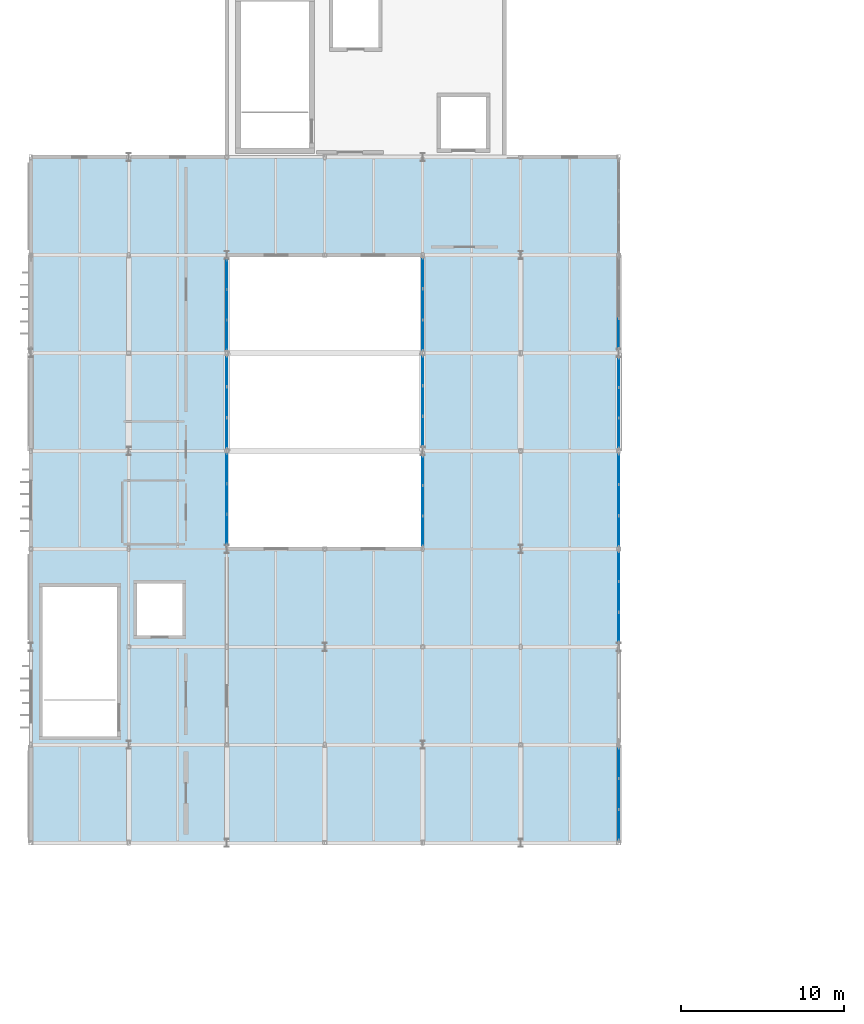
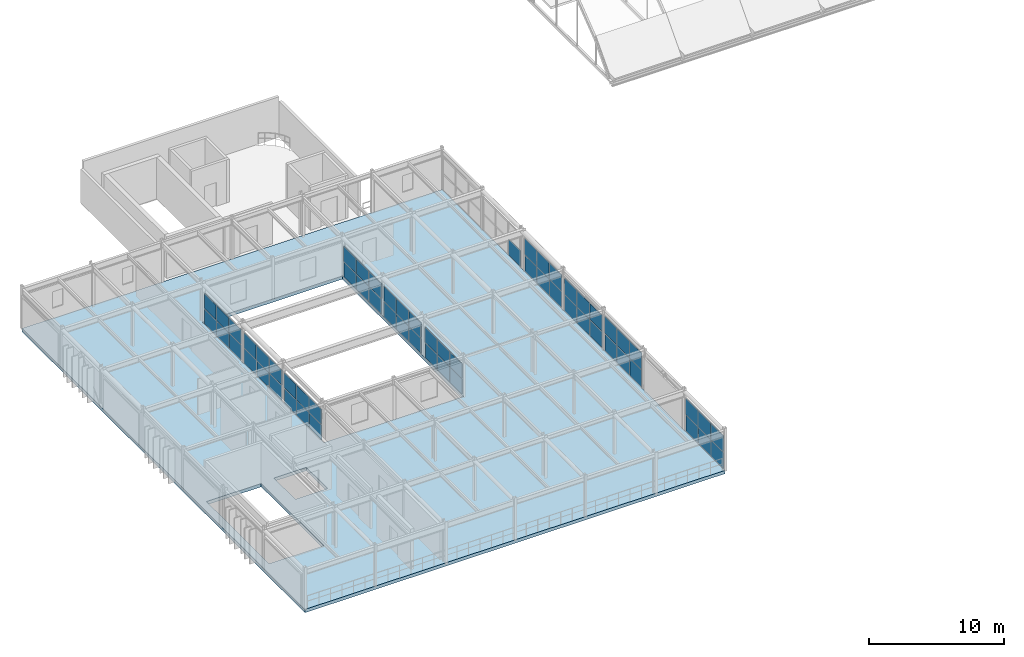
# One storey, part 43 of 63: 61 plates, 1 slab, 11 elements without a shape of their own.
"""IFC4 building model written with IfcOpenShell, lengths in metres."""

from ifc_helpers import new_model, si_unit, direction, frame, origin, origin_2d, place, context, subcontext, project, spatial, polyline, rectangle, outline, extrude, material, layer, layer_set, type_object, element, aggregate, save


model = new_model("IFC4")

# Units and contexts
model_context = context("Model", 3, precision=1e-05, world=origin(), true_north=direction((0.0, 1.0)))
body_context = subcontext(model_context, "Body", "Model", "MODEL_VIEW")
ifc_project = project(units=[si_unit("LENGTHUNIT", "METRE"), si_unit("AREAUNIT", "SQUARE_METRE"), si_unit("VOLUMEUNIT", "CUBIC_METRE"), si_unit("PLANEANGLEUNIT", "RADIAN"), si_unit("MASSUNIT", "GRAM", prefix="KILO")], contexts=[model_context])

# Site, building, storey
site_placement = place(None, origin())
site = spatial("IfcSite", under=ifc_project, at=site_placement, CompositionType="ELEMENT")
building_placement = place(site_placement, origin())
building = spatial("IfcBuilding", under=site, at=building_placement, Name="Varnakota Square Police Headquarters", CompositionType="ELEMENT")
storey_placement = place(building_placement, frame((0.0, 0.0, 22.199951171875)))
storey = spatial("IfcBuildingStorey", under=building, at=storey_placement, Name="L05", CompositionType="ELEMENT", Elevation=22.199951171875)

# Curtain wall, plates
ifc_material_1 = material(Name="Anodised Aluminium Framing", Category="aluminium")
curtain_wall_type_1 = type_object("IfcCurtainWallType", Name="CW-SYS-D", PredefinedType="NOTDEFINED", material=ifc_material_1)
curtain_wall_1_placement = place(storey_placement, origin())
curtain_wall_1 = element("IfcCurtainWall", 1, at=curtain_wall_1_placement, inside=storey, type_object=curtain_wall_type_1, Name="Unitised curtain wall CWG-L05-195", PredefinedType="NOTDEFINED")
ifc_material_2 = material(Name="Solar-Control Laminated Double Glazing", Category="glass")
ifc_layer_1 = layer(ifc_material_2, 0.028076171875, Name="Solar-Control Laminated Double Glazing")
ifc_layer_set_1 = layer_set([ifc_layer_1], Name="Solar-Control Laminated Double Glazing")
plate_type_1 = type_object("IfcPlateType", Name="CWP-GLZ-28", PredefinedType="CURTAIN_PANEL", material=ifc_layer_set_1)
plate_1_placement = place(storey_placement, frame((42.0, 46.10302734375, 0.065185546875), z_axis=(0.0, 0.0, 1.0), x_axis=(0.0, 1.0, 0.0)))
plate_1 = element("IfcPlate", 2, at=plate_1_placement, type_object=plate_type_1, Name="CWG-L05-195 panel 1.1", PredefinedType="CURTAIN_PANEL", context=body_context, shape_type="SweptSolid", body=[
    extrude(rectangle(XDim=1.765869140625, YDim=0.028076171875, at=origin_2d()), origin(), (0.0, 0.0, 1.0), 1.4423828125),
])
plate_2_placement = place(storey_placement, frame((42.0, 47.949951171875, 0.065185546875), z_axis=(0.0, 0.0, 1.0), x_axis=(0.0, 1.0, 0.0)))
plate_2 = element("IfcPlate", 3, at=plate_2_placement, type_object=plate_type_1, Name="CWG-L05-195 panel 2.1", PredefinedType="CURTAIN_PANEL", context=body_context, shape_type="SweptSolid", body=[
    extrude(rectangle(XDim=1.79833984375, YDim=0.028076171875, at=origin_2d()), origin(), (0.0, 0.0, 1.0), 1.4423828125),
])
plate_3_placement = place(storey_placement, frame((42.0, 49.797119140625, 0.065185546875), z_axis=(0.0, 0.0, 1.0), x_axis=(0.0, 1.0, 0.0)))
plate_3 = element("IfcPlate", 4, at=plate_3_placement, type_object=plate_type_1, Name="CWG-L05-195 panel 3.1", PredefinedType="CURTAIN_PANEL", context=body_context, shape_type="SweptSolid", body=[
    extrude(rectangle(XDim=1.765869140625, YDim=0.028076171875, at=origin_2d()), origin(), (0.0, 0.0, 1.0), 1.4423828125),
])

curtain_wall_type_2 = type_object("IfcCurtainWallType", Name="CW-SYS-F", PredefinedType="NOTDEFINED", material=ifc_material_1)
curtain_wall_2_placement = place(storey_placement, origin())
curtain_wall_2 = element("IfcCurtainWall", 5, at=curtain_wall_2_placement, inside=storey, type_object=curtain_wall_type_2, Name="Unitised curtain wall CWG-L05-199", PredefinedType="NOTDEFINED")
plate_4_placement = place(storey_placement, frame((30.0, 40.10302734375, 0.06494140625), z_axis=(0.0, 0.0, 1.0), x_axis=(0.0, 1.0, 0.0)))
plate_4 = element("IfcPlate", 6, at=plate_4_placement, type_object=plate_type_1, Name="CWG-L05-199 panel 1.1", PredefinedType="CURTAIN_PANEL", context=body_context, shape_type="SweptSolid", body=[
    extrude(rectangle(XDim=1.765869140625, YDim=0.028076171875, at=origin_2d()), origin(), (0.0, 0.0, 1.0), 1.342529296875),
])
plate_5_placement = place(storey_placement, frame((30.0, 41.949951171875, 0.06494140625), z_axis=(0.0, 0.0, 1.0), x_axis=(0.0, 1.0, 0.0)))
plate_5 = element("IfcPlate", 7, at=plate_5_placement, type_object=plate_type_1, Name="CWG-L05-199 panel 2.1", PredefinedType="CURTAIN_PANEL", context=body_context, shape_type="SweptSolid", body=[
    extrude(rectangle(XDim=1.79833984375, YDim=0.028076171875, at=origin_2d()), origin(), (0.0, 0.0, 1.0), 1.342529296875),
])
plate_6_placement = place(storey_placement, frame((30.0, 43.797119140625, 0.06494140625), z_axis=(0.0, 0.0, 1.0), x_axis=(0.0, 1.0, 0.0)))
plate_6 = element("IfcPlate", 8, at=plate_6_placement, type_object=plate_type_1, Name="CWG-L05-199 panel 3.1", PredefinedType="CURTAIN_PANEL", context=body_context, shape_type="SweptSolid", body=[
    extrude(rectangle(XDim=1.765869140625, YDim=0.028076171875, at=origin_2d()), origin(), (0.0, 0.0, 1.0), 1.342529296875),
])

curtain_wall_3_placement = place(storey_placement, origin())
curtain_wall_3 = element("IfcCurtainWall", 9, at=curtain_wall_3_placement, inside=storey, type_object=curtain_wall_type_2, Name="Unitised curtain wall CWG-L05-203", PredefinedType="NOTDEFINED")
plate_7_placement = place(storey_placement, frame((30.0, 52.0986328125, 0.06494140625), z_axis=(0.0, 0.0, 1.0), x_axis=(0.0, 1.0, 0.0)))
plate_7 = element("IfcPlate", 10, at=plate_7_placement, type_object=plate_type_1, Name="CWG-L05-203 panel 1.1", PredefinedType="CURTAIN_PANEL", context=body_context, shape_type="SweptSolid", body=[
    extrude(rectangle(XDim=1.8076171875, YDim=0.028076171875, at=origin_2d()), origin(), (0.0, 0.0, 1.0), 1.342529296875),
])
plate_8_placement = place(storey_placement, frame((30.0, 53.987548828125, 0.06494140625), z_axis=(0.0, 0.0, 1.0), x_axis=(0.0, 1.0, 0.0)))
plate_8 = element("IfcPlate", 11, at=plate_8_placement, type_object=plate_type_1, Name="CWG-L05-203 panel 2.1", PredefinedType="CURTAIN_PANEL", context=body_context, shape_type="SweptSolid", body=[
    extrude(rectangle(XDim=1.840087890625, YDim=0.028076171875, at=origin_2d()), origin(), (0.0, 0.0, 1.0), 1.342529296875),
])
plate_9_placement = place(storey_placement, frame((30.0, 55.876220703125, 0.06494140625), z_axis=(0.0, 0.0, 1.0), x_axis=(0.0, 1.0, 0.0)))
plate_9 = element("IfcPlate", 12, at=plate_9_placement, type_object=plate_type_1, Name="CWG-L05-203 panel 3.1", PredefinedType="CURTAIN_PANEL", context=body_context, shape_type="SweptSolid", body=[
    extrude(rectangle(XDim=1.8076171875, YDim=0.028076171875, at=origin_2d()), origin(), (0.0, 0.0, 1.0), 1.342529296875),
])

curtain_wall_4_placement = place(storey_placement, origin())
curtain_wall_4 = element("IfcCurtainWall", 13, at=curtain_wall_4_placement, inside=storey, type_object=curtain_wall_type_1, Name="Unitised curtain wall CWG-L05-192", PredefinedType="NOTDEFINED")
ifc_material_3 = material(Name="Acoustic Laminated Double Glazing", Category="glass")
ifc_layer_2 = layer(ifc_material_3, 0.031982421875, Name="Acoustic Laminated Double Glazing")
ifc_layer_set_2 = layer_set([ifc_layer_2], Name="Acoustic Laminated Double Glazing")
plate_type_2 = type_object("IfcPlateType", Name="CWP-GLZ-32", PredefinedType="CURTAIN_PANEL", material=ifc_layer_set_2)
plate_10_placement = place(storey_placement, frame((42.0, 22.0986328125, 0.065185546875), z_axis=(0.0, 0.0, 1.0), x_axis=(0.0, 1.0, 0.0)))
plate_10 = element("IfcPlate", 14, at=plate_10_placement, type_object=plate_type_2, Name="CWG-L05-192 panel 1.1", PredefinedType="CURTAIN_PANEL", context=body_context, shape_type="SweptSolid", body=[
    extrude(rectangle(XDim=1.8076171875, YDim=0.031982421875, at=origin_2d()), origin(), (0.0, 0.0, 1.0), 1.4423828125),
])
plate_11_placement = place(storey_placement, frame((42.0, 23.987548828125, 0.065185546875), z_axis=(0.0, 0.0, 1.0), x_axis=(0.0, 1.0, 0.0)))
plate_11 = element("IfcPlate", 15, at=plate_11_placement, type_object=plate_type_2, Name="CWG-L05-192 panel 2.1", PredefinedType="CURTAIN_PANEL", context=body_context, shape_type="SweptSolid", body=[
    extrude(rectangle(XDim=1.840087890625, YDim=0.031982421875, at=origin_2d()), origin(), (0.0, 0.0, 1.0), 1.4423828125),
])
plate_12_placement = place(storey_placement, frame((42.0, 25.876220703125, 0.065185546875), z_axis=(0.0, 0.0, 1.0), x_axis=(0.0, 1.0, 0.0)))
plate_12 = element("IfcPlate", 16, at=plate_12_placement, type_object=plate_type_2, Name="CWG-L05-192 panel 3.1", PredefinedType="CURTAIN_PANEL", context=body_context, shape_type="SweptSolid", body=[
    extrude(rectangle(XDim=1.8076171875, YDim=0.031982421875, at=origin_2d()), origin(), (0.0, 0.0, 1.0), 1.4423828125),
])

# Curtain wall, plate
curtain_wall_5_placement = place(storey_placement, origin())
curtain_wall_5 = element("IfcCurtainWall", 17, at=curtain_wall_5_placement, inside=storey, type_object=curtain_wall_type_1, Name="Unitised curtain wall CWG-L05-196", PredefinedType="NOTDEFINED")
plate_13_placement = place(storey_placement, frame((42.0, 52.20703125, 0.065185546875), z_axis=(0.0, 0.0, 1.0), x_axis=(0.0, 1.0, 0.0)))
plate_13 = element("IfcPlate", 18, at=plate_13_placement, type_object=plate_type_2, Name="CWG-L05-196 panel 1.1", PredefinedType="CURTAIN_PANEL", context=body_context, shape_type="SweptSolid", body=[
    extrude(rectangle(XDim=1.774169921875, YDim=0.031982421875, at=origin_2d()), origin(), (0.0, 0.0, 1.0), 1.4423828125),
])
aggregate(curtain_wall_5, [plate_13])

# Curtain wall, plates
curtain_wall_6_placement = place(storey_placement, origin())
curtain_wall_6 = element("IfcCurtainWall", 19, at=curtain_wall_6_placement, inside=storey, type_object=curtain_wall_type_2, Name="Unitised curtain wall CWG-L05-200", PredefinedType="NOTDEFINED")
plate_14_placement = place(storey_placement, frame((18.0, 46.0986328125, 0.06494140625), z_axis=(0.0, 0.0, 1.0), x_axis=(0.0, 1.0, 0.0)))
plate_14 = element("IfcPlate", 20, at=plate_14_placement, type_object=plate_type_2, Name="CWG-L05-200 panel 1.1", PredefinedType="CURTAIN_PANEL", context=body_context, shape_type="SweptSolid", body=[
    extrude(rectangle(XDim=1.8076171875, YDim=0.031982421875, at=origin_2d()), origin(), (0.0, 0.0, 1.0), 1.342529296875),
])
plate_15_placement = place(storey_placement, frame((18.0, 47.987548828125, 0.06494140625), z_axis=(0.0, 0.0, 1.0), x_axis=(0.0, 1.0, 0.0)))
plate_15 = element("IfcPlate", 21, at=plate_15_placement, type_object=plate_type_2, Name="CWG-L05-200 panel 2.1", PredefinedType="CURTAIN_PANEL", context=body_context, shape_type="SweptSolid", body=[
    extrude(rectangle(XDim=1.840087890625, YDim=0.031982421875, at=origin_2d()), origin(), (0.0, 0.0, 1.0), 1.342529296875),
])
plate_16_placement = place(storey_placement, frame((18.0, 49.876220703125, 0.06494140625), z_axis=(0.0, 0.0, 1.0), x_axis=(0.0, 1.0, 0.0)))
plate_16 = element("IfcPlate", 22, at=plate_16_placement, type_object=plate_type_2, Name="CWG-L05-200 panel 3.1", PredefinedType="CURTAIN_PANEL", context=body_context, shape_type="SweptSolid", body=[
    extrude(rectangle(XDim=1.8076171875, YDim=0.031982421875, at=origin_2d()), origin(), (0.0, 0.0, 1.0), 1.342529296875),
])

curtain_wall_7_placement = place(storey_placement, origin())
curtain_wall_7 = element("IfcCurtainWall", 23, at=curtain_wall_7_placement, inside=storey, type_object=curtain_wall_type_1, Name="Unitised curtain wall CWG-L05-193", PredefinedType="NOTDEFINED")
ifc_material_4 = material(Name="Blast-Resistant Laminated Glazing", Category="glass")
ifc_layer_3 = layer(ifc_material_4, 0.035888671875, Name="Blast-Resistant Laminated Glazing")
ifc_layer_set_3 = layer_set([ifc_layer_3], Name="Blast-Resistant Laminated Glazing")
plate_type_3 = type_object("IfcPlateType", Name="CWP-GLZ-36", PredefinedType="CURTAIN_PANEL", material=ifc_layer_set_3)
plate_17_placement = place(storey_placement, frame((42.0, 34.20703125, 0.06494140625), z_axis=(0.0, 0.0, 1.0), x_axis=(0.0, 1.0, 0.0)))
plate_17 = element("IfcPlate", 24, at=plate_17_placement, type_object=plate_type_3, Name="CWG-L05-193 panel 1.1", PredefinedType="CURTAIN_PANEL", context=body_context, shape_type="SweptSolid", body=[
    extrude(rectangle(XDim=1.774169921875, YDim=0.035888671875, at=origin_2d()), origin(), (0.0, 0.0, 1.0), 1.517578125),
])
plate_18_placement = place(storey_placement, frame((42.0, 36.0625, 0.06494140625), z_axis=(0.0, 0.0, 1.0), x_axis=(0.0, 1.0, 0.0)))
plate_18 = element("IfcPlate", 25, at=plate_18_placement, type_object=plate_type_3, Name="CWG-L05-193 panel 2.1", PredefinedType="CURTAIN_PANEL", context=body_context, shape_type="SweptSolid", body=[
    extrude(rectangle(XDim=1.806640625, YDim=0.035888671875, at=origin_2d()), origin(), (0.0, 0.0, 1.0), 1.517578125),
])
plate_19_placement = place(storey_placement, frame((42.0, 37.91796875, 0.06494140625), z_axis=(0.0, 0.0, 1.0), x_axis=(0.0, 1.0, 0.0)))
plate_19 = element("IfcPlate", 26, at=plate_19_placement, type_object=plate_type_3, Name="CWG-L05-193 panel 3.1", PredefinedType="CURTAIN_PANEL", context=body_context, shape_type="SweptSolid", body=[
    extrude(rectangle(XDim=1.774169921875, YDim=0.035888671875, at=origin_2d()), origin(), (0.0, 0.0, 1.0), 1.517578125),
])

curtain_wall_8_placement = place(storey_placement, origin())
curtain_wall_8 = element("IfcCurtainWall", 27, at=curtain_wall_8_placement, inside=storey, type_object=curtain_wall_type_2, Name="Unitised curtain wall CWG-L05-201", PredefinedType="NOTDEFINED")
plate_20_placement = place(storey_placement, frame((30.0, 46.20703125, 0.06494140625), z_axis=(0.0, 0.0, 1.0), x_axis=(0.0, 1.0, 0.0)))
plate_20 = element("IfcPlate", 28, at=plate_20_placement, type_object=plate_type_3, Name="CWG-L05-201 panel 1.1", PredefinedType="CURTAIN_PANEL", context=body_context, shape_type="SweptSolid", body=[
    extrude(rectangle(XDim=1.774169921875, YDim=0.035888671875, at=origin_2d()), origin(), (0.0, 0.0, 1.0), 1.342529296875),
])
plate_21_placement = place(storey_placement, frame((30.0, 48.0625, 0.06494140625), z_axis=(0.0, 0.0, 1.0), x_axis=(0.0, 1.0, 0.0)))
plate_21 = element("IfcPlate", 29, at=plate_21_placement, type_object=plate_type_3, Name="CWG-L05-201 panel 2.1", PredefinedType="CURTAIN_PANEL", context=body_context, shape_type="SweptSolid", body=[
    extrude(rectangle(XDim=1.806640625, YDim=0.035888671875, at=origin_2d()), origin(), (0.0, 0.0, 1.0), 1.342529296875),
])
plate_22_placement = place(storey_placement, frame((30.0, 49.91796875, 0.06494140625), z_axis=(0.0, 0.0, 1.0), x_axis=(0.0, 1.0, 0.0)))
plate_22 = element("IfcPlate", 30, at=plate_22_placement, type_object=plate_type_3, Name="CWG-L05-201 panel 3.1", PredefinedType="CURTAIN_PANEL", context=body_context, shape_type="SweptSolid", body=[
    extrude(rectangle(XDim=1.774169921875, YDim=0.035888671875, at=origin_2d()), origin(), (0.0, 0.0, 1.0), 1.342529296875),
])

curtain_wall_9_placement = place(storey_placement, origin())
curtain_wall_9 = element("IfcCurtainWall", 31, at=curtain_wall_9_placement, inside=storey, type_object=curtain_wall_type_1, Name="Unitised curtain wall CWG-L05-194", PredefinedType="NOTDEFINED")
ifc_material_5 = material(Name="Triple-Glazed Clean-Lab Vision Unit", Category="aluminium")
ifc_layer_4 = layer(ifc_material_5, 0.0419921875, Name="Triple-Glazed Clean-Lab Vision Unit")
ifc_layer_set_4 = layer_set([ifc_layer_4], Name="Triple-Glazed Clean-Lab Vision Unit")
plate_type_4 = type_object("IfcPlateType", Name="CWP-GLZ-42", PredefinedType="CURTAIN_PANEL", material=ifc_layer_set_4)
plate_23_placement = place(storey_placement, frame((42.0, 40.0986328125, 0.065185546875), z_axis=(0.0, 0.0, 1.0), x_axis=(0.0, 1.0, 0.0)))
plate_23 = element("IfcPlate", 32, at=plate_23_placement, type_object=plate_type_4, Name="CWG-L05-194 panel 1.1", PredefinedType="CURTAIN_PANEL", context=body_context, shape_type="SweptSolid", body=[
    extrude(rectangle(XDim=1.8076171875, YDim=0.0419921875, at=origin_2d()), origin(), (0.0, 0.0, 1.0), 1.4423828125),
])
plate_24_placement = place(storey_placement, frame((42.0, 41.987548828125, 0.065185546875), z_axis=(0.0, 0.0, 1.0), x_axis=(0.0, 1.0, 0.0)))
plate_24 = element("IfcPlate", 33, at=plate_24_placement, type_object=plate_type_4, Name="CWG-L05-194 panel 2.1", PredefinedType="CURTAIN_PANEL", context=body_context, shape_type="SweptSolid", body=[
    extrude(rectangle(XDim=1.840087890625, YDim=0.0419921875, at=origin_2d()), origin(), (0.0, 0.0, 1.0), 1.4423828125),
])
plate_25_placement = place(storey_placement, frame((42.0, 43.876220703125, 0.065185546875), z_axis=(0.0, 0.0, 1.0), x_axis=(0.0, 1.0, 0.0)))
plate_25 = element("IfcPlate", 34, at=plate_25_placement, type_object=plate_type_4, Name="CWG-L05-194 panel 3.1", PredefinedType="CURTAIN_PANEL", context=body_context, shape_type="SweptSolid", body=[
    extrude(rectangle(XDim=1.8076171875, YDim=0.0419921875, at=origin_2d()), origin(), (0.0, 0.0, 1.0), 1.4423828125),
])

curtain_wall_10_placement = place(storey_placement, origin())
curtain_wall_10 = element("IfcCurtainWall", 35, at=curtain_wall_10_placement, inside=storey, type_object=curtain_wall_type_2, Name="Unitised curtain wall CWG-L05-198", PredefinedType="NOTDEFINED")
plate_26_placement = place(storey_placement, frame((18.0, 40.20703125, 0.06494140625), z_axis=(0.0, 0.0, 1.0), x_axis=(0.0, 1.0, 0.0)))
plate_26 = element("IfcPlate", 36, at=plate_26_placement, type_object=plate_type_4, Name="CWG-L05-198 panel 1.1", PredefinedType="CURTAIN_PANEL", context=body_context, shape_type="SweptSolid", body=[
    extrude(rectangle(XDim=1.774169921875, YDim=0.0419921875, at=origin_2d()), origin(), (0.0, 0.0, 1.0), 1.342529296875),
])
plate_27_placement = place(storey_placement, frame((18.0, 42.0625, 0.06494140625), z_axis=(0.0, 0.0, 1.0), x_axis=(0.0, 1.0, 0.0)))
plate_27 = element("IfcPlate", 37, at=plate_27_placement, type_object=plate_type_4, Name="CWG-L05-198 panel 2.1", PredefinedType="CURTAIN_PANEL", context=body_context, shape_type="SweptSolid", body=[
    extrude(rectangle(XDim=1.806640625, YDim=0.0419921875, at=origin_2d()), origin(), (0.0, 0.0, 1.0), 1.342529296875),
])
plate_28_placement = place(storey_placement, frame((18.0, 43.91796875, 0.06494140625), z_axis=(0.0, 0.0, 1.0), x_axis=(0.0, 1.0, 0.0)))
plate_28 = element("IfcPlate", 38, at=plate_28_placement, type_object=plate_type_4, Name="CWG-L05-198 panel 3.1", PredefinedType="CURTAIN_PANEL", context=body_context, shape_type="SweptSolid", body=[
    extrude(rectangle(XDim=1.774169921875, YDim=0.0419921875, at=origin_2d()), origin(), (0.0, 0.0, 1.0), 1.342529296875),
])

curtain_wall_11_placement = place(storey_placement, origin())
curtain_wall_11 = element("IfcCurtainWall", 39, at=curtain_wall_11_placement, inside=storey, type_object=curtain_wall_type_2, Name="Unitised curtain wall CWG-L05-202", PredefinedType="NOTDEFINED")
plate_29_placement = place(storey_placement, frame((18.0, 52.10302734375, 0.06494140625), z_axis=(0.0, 0.0, 1.0), x_axis=(0.0, 1.0, 0.0)))
plate_29 = element("IfcPlate", 40, at=plate_29_placement, type_object=plate_type_4, Name="CWG-L05-202 panel 1.1", PredefinedType="CURTAIN_PANEL", context=body_context, shape_type="SweptSolid", body=[
    extrude(rectangle(XDim=1.765869140625, YDim=0.0419921875, at=origin_2d()), origin(), (0.0, 0.0, 1.0), 1.342529296875),
])
plate_30_placement = place(storey_placement, frame((18.0, 53.949951171875, 0.06494140625), z_axis=(0.0, 0.0, 1.0), x_axis=(0.0, 1.0, 0.0)))
plate_30 = element("IfcPlate", 41, at=plate_30_placement, type_object=plate_type_4, Name="CWG-L05-202 panel 2.1", PredefinedType="CURTAIN_PANEL", context=body_context, shape_type="SweptSolid", body=[
    extrude(rectangle(XDim=1.79833984375, YDim=0.0419921875, at=origin_2d()), origin(), (0.0, 0.0, 1.0), 1.342529296875),
])
plate_31_placement = place(storey_placement, frame((18.0, 55.797119140625, 0.06494140625), z_axis=(0.0, 0.0, 1.0), x_axis=(0.0, 1.0, 0.0)))
plate_31 = element("IfcPlate", 42, at=plate_31_placement, type_object=plate_type_4, Name="CWG-L05-202 panel 3.1", PredefinedType="CURTAIN_PANEL", context=body_context, shape_type="SweptSolid", body=[
    extrude(rectangle(XDim=1.765869140625, YDim=0.0419921875, at=origin_2d()), origin(), (0.0, 0.0, 1.0), 1.342529296875),
])

# Plate
ifc_material_6 = material(Name="Insulated Anodised Aluminium Spandrel Panel", Category="aluminium")
ifc_layer_5 = layer(ifc_material_6, 0.050048828125, Name="Insulated Anodised Aluminium Spandrel Panel")
ifc_layer_set_5 = layer_set([ifc_layer_5], Name="Insulated Anodised Aluminium Spandrel Panel")
plate_type_5 = type_object("IfcPlateType", Name="CWP-SPN-50", PredefinedType="CURTAIN_PANEL", material=ifc_layer_set_5)
plate_32_placement = place(storey_placement, frame((42.0, 34.20703125, 1.6474609375), z_axis=(0.0, 0.0, 1.0), x_axis=(0.0, 1.0, 0.0)))
plate_32 = element("IfcPlate", 43, at=plate_32_placement, type_object=plate_type_5, Name="CWG-L05-193 panel 1.2", PredefinedType="CURTAIN_PANEL", context=body_context, shape_type="SweptSolid", body=[
    extrude(rectangle(XDim=1.774169921875, YDim=0.050048828125, at=origin_2d()), origin(), (0.0, 0.0, 1.0), 1.517578125),
])

plate_33_placement = place(storey_placement, frame((42.0, 36.0625, 1.6474609375), z_axis=(0.0, 0.0, 1.0), x_axis=(0.0, 1.0, 0.0)))
plate_33 = element("IfcPlate", 44, at=plate_33_placement, type_object=plate_type_5, Name="CWG-L05-193 panel 2.2", PredefinedType="CURTAIN_PANEL", context=body_context, shape_type="SweptSolid", body=[
    extrude(rectangle(XDim=1.806640625, YDim=0.050048828125, at=origin_2d()), origin(), (0.0, 0.0, 1.0), 1.517578125),
])

plate_34_placement = place(storey_placement, frame((42.0, 37.91796875, 1.6474609375), z_axis=(0.0, 0.0, 1.0), x_axis=(0.0, 1.0, 0.0)))
plate_34 = element("IfcPlate", 45, at=plate_34_placement, type_object=plate_type_5, Name="CWG-L05-193 panel 3.2", PredefinedType="CURTAIN_PANEL", context=body_context, shape_type="SweptSolid", body=[
    extrude(rectangle(XDim=1.774169921875, YDim=0.050048828125, at=origin_2d()), origin(), (0.0, 0.0, 1.0), 1.517578125),
])

aggregate(curtain_wall_7, [plate_17, plate_32, plate_18, plate_33, plate_19, plate_34])

plate_35_placement = place(storey_placement, frame((42.0, 46.10302734375, 1.572509765625), z_axis=(0.0, 0.0, 1.0), x_axis=(0.0, 1.0, 0.0)))
plate_35 = element("IfcPlate", 46, at=plate_35_placement, type_object=plate_type_5, Name="CWG-L05-195 panel 1.2", PredefinedType="CURTAIN_PANEL", context=body_context, shape_type="SweptSolid", body=[
    extrude(rectangle(XDim=1.765869140625, YDim=0.050048828125, at=origin_2d()), origin(), (0.0, 0.0, 1.0), 1.4423828125),
])

plate_36_placement = place(storey_placement, frame((42.0, 47.949951171875, 1.572509765625), z_axis=(0.0, 0.0, 1.0), x_axis=(0.0, 1.0, 0.0)))
plate_36 = element("IfcPlate", 47, at=plate_36_placement, type_object=plate_type_5, Name="CWG-L05-195 panel 2.2", PredefinedType="CURTAIN_PANEL", context=body_context, shape_type="SweptSolid", body=[
    extrude(rectangle(XDim=1.79833984375, YDim=0.050048828125, at=origin_2d()), origin(), (0.0, 0.0, 1.0), 1.4423828125),
])

plate_37_placement = place(storey_placement, frame((42.0, 49.797119140625, 1.572509765625), z_axis=(0.0, 0.0, 1.0), x_axis=(0.0, 1.0, 0.0)))
plate_37 = element("IfcPlate", 48, at=plate_37_placement, type_object=plate_type_5, Name="CWG-L05-195 panel 3.2", PredefinedType="CURTAIN_PANEL", context=body_context, shape_type="SweptSolid", body=[
    extrude(rectangle(XDim=1.765869140625, YDim=0.050048828125, at=origin_2d()), origin(), (0.0, 0.0, 1.0), 1.4423828125),
])

aggregate(curtain_wall_1, [plate_1, plate_35, plate_2, plate_36, plate_3, plate_37])

plate_38_placement = place(storey_placement, frame((30.0, 40.10302734375, 1.47265625), z_axis=(0.0, 0.0, 1.0), x_axis=(0.0, 1.0, 0.0)))
plate_38 = element("IfcPlate", 49, at=plate_38_placement, type_object=plate_type_5, Name="CWG-L05-199 panel 1.2", PredefinedType="CURTAIN_PANEL", context=body_context, shape_type="SweptSolid", body=[
    extrude(rectangle(XDim=1.765869140625, YDim=0.050048828125, at=origin_2d()), origin(), (0.0, 0.0, 1.0), 1.342529296875),
])

plate_39_placement = place(storey_placement, frame((30.0, 41.949951171875, 1.47265625), z_axis=(0.0, 0.0, 1.0), x_axis=(0.0, 1.0, 0.0)))
plate_39 = element("IfcPlate", 50, at=plate_39_placement, type_object=plate_type_5, Name="CWG-L05-199 panel 2.2", PredefinedType="CURTAIN_PANEL", context=body_context, shape_type="SweptSolid", body=[
    extrude(rectangle(XDim=1.79833984375, YDim=0.050048828125, at=origin_2d()), origin(), (0.0, 0.0, 1.0), 1.342529296875),
])

plate_40_placement = place(storey_placement, frame((30.0, 43.797119140625, 1.47265625), z_axis=(0.0, 0.0, 1.0), x_axis=(0.0, 1.0, 0.0)))
plate_40 = element("IfcPlate", 51, at=plate_40_placement, type_object=plate_type_5, Name="CWG-L05-199 panel 3.2", PredefinedType="CURTAIN_PANEL", context=body_context, shape_type="SweptSolid", body=[
    extrude(rectangle(XDim=1.765869140625, YDim=0.050048828125, at=origin_2d()), origin(), (0.0, 0.0, 1.0), 1.342529296875),
])

aggregate(curtain_wall_2, [plate_4, plate_38, plate_5, plate_39, plate_6, plate_40])

plate_41_placement = place(storey_placement, frame((30.0, 46.20703125, 1.47265625), z_axis=(0.0, 0.0, 1.0), x_axis=(0.0, 1.0, 0.0)))
plate_41 = element("IfcPlate", 52, at=plate_41_placement, type_object=plate_type_5, Name="CWG-L05-201 panel 1.2", PredefinedType="CURTAIN_PANEL", context=body_context, shape_type="SweptSolid", body=[
    extrude(rectangle(XDim=1.774169921875, YDim=0.050048828125, at=origin_2d()), origin(), (0.0, 0.0, 1.0), 1.342529296875),
])

plate_42_placement = place(storey_placement, frame((30.0, 48.0625, 1.47265625), z_axis=(0.0, 0.0, 1.0), x_axis=(0.0, 1.0, 0.0)))
plate_42 = element("IfcPlate", 53, at=plate_42_placement, type_object=plate_type_5, Name="CWG-L05-201 panel 2.2", PredefinedType="CURTAIN_PANEL", context=body_context, shape_type="SweptSolid", body=[
    extrude(rectangle(XDim=1.806640625, YDim=0.050048828125, at=origin_2d()), origin(), (0.0, 0.0, 1.0), 1.342529296875),
])

plate_43_placement = place(storey_placement, frame((30.0, 49.91796875, 1.47265625), z_axis=(0.0, 0.0, 1.0), x_axis=(0.0, 1.0, 0.0)))
plate_43 = element("IfcPlate", 54, at=plate_43_placement, type_object=plate_type_5, Name="CWG-L05-201 panel 3.2", PredefinedType="CURTAIN_PANEL", context=body_context, shape_type="SweptSolid", body=[
    extrude(rectangle(XDim=1.774169921875, YDim=0.050048828125, at=origin_2d()), origin(), (0.0, 0.0, 1.0), 1.342529296875),
])

aggregate(curtain_wall_8, [plate_20, plate_41, plate_21, plate_42, plate_22, plate_43])

plate_44_placement = place(storey_placement, frame((30.0, 52.0986328125, 1.47265625), z_axis=(0.0, 0.0, 1.0), x_axis=(0.0, 1.0, 0.0)))
plate_44 = element("IfcPlate", 55, at=plate_44_placement, type_object=plate_type_5, Name="CWG-L05-203 panel 1.2", PredefinedType="CURTAIN_PANEL", context=body_context, shape_type="SweptSolid", body=[
    extrude(rectangle(XDim=1.8076171875, YDim=0.050048828125, at=origin_2d()), origin(), (0.0, 0.0, 1.0), 1.342529296875),
])

plate_45_placement = place(storey_placement, frame((30.0, 53.987548828125, 1.47265625), z_axis=(0.0, 0.0, 1.0), x_axis=(0.0, 1.0, 0.0)))
plate_45 = element("IfcPlate", 56, at=plate_45_placement, type_object=plate_type_5, Name="CWG-L05-203 panel 2.2", PredefinedType="CURTAIN_PANEL", context=body_context, shape_type="SweptSolid", body=[
    extrude(rectangle(XDim=1.840087890625, YDim=0.050048828125, at=origin_2d()), origin(), (0.0, 0.0, 1.0), 1.342529296875),
])

plate_46_placement = place(storey_placement, frame((30.0, 55.876220703125, 1.47265625), z_axis=(0.0, 0.0, 1.0), x_axis=(0.0, 1.0, 0.0)))
plate_46 = element("IfcPlate", 57, at=plate_46_placement, type_object=plate_type_5, Name="CWG-L05-203 panel 3.2", PredefinedType="CURTAIN_PANEL", context=body_context, shape_type="SweptSolid", body=[
    extrude(rectangle(XDim=1.8076171875, YDim=0.050048828125, at=origin_2d()), origin(), (0.0, 0.0, 1.0), 1.342529296875),
])

aggregate(curtain_wall_3, [plate_7, plate_44, plate_8, plate_45, plate_9, plate_46])

ifc_material_7 = material(Name="Fire-Stopped Mineral-Wool Spandrel Panel", Category="aluminium")
ifc_layer_6 = layer(ifc_material_7, 0.06005859375, Name="Fire-Stopped Mineral-Wool Spandrel Panel")
ifc_layer_set_6 = layer_set([ifc_layer_6], Name="Fire-Stopped Mineral-Wool Spandrel Panel")
plate_type_6 = type_object("IfcPlateType", Name="CWP-SPN-60", PredefinedType="CURTAIN_PANEL", material=ifc_layer_set_6)
plate_47_placement = place(storey_placement, frame((42.0, 22.0986328125, 1.572509765625), z_axis=(0.0, 0.0, 1.0), x_axis=(0.0, 1.0, 0.0)))
plate_47 = element("IfcPlate", 58, at=plate_47_placement, type_object=plate_type_6, Name="CWG-L05-192 panel 1.2", PredefinedType="CURTAIN_PANEL", context=body_context, shape_type="SweptSolid", body=[
    extrude(rectangle(XDim=1.8076171875, YDim=0.06005859375, at=origin_2d()), origin(), (0.0, 0.0, 1.0), 1.4423828125),
])

plate_48_placement = place(storey_placement, frame((42.0, 23.987548828125, 1.572509765625), z_axis=(0.0, 0.0, 1.0), x_axis=(0.0, 1.0, 0.0)))
plate_48 = element("IfcPlate", 59, at=plate_48_placement, type_object=plate_type_6, Name="CWG-L05-192 panel 2.2", PredefinedType="CURTAIN_PANEL", context=body_context, shape_type="SweptSolid", body=[
    extrude(rectangle(XDim=1.840087890625, YDim=0.06005859375, at=origin_2d()), origin(), (0.0, 0.0, 1.0), 1.4423828125),
])

plate_49_placement = place(storey_placement, frame((42.0, 25.876220703125, 1.572509765625), z_axis=(0.0, 0.0, 1.0), x_axis=(0.0, 1.0, 0.0)))
plate_49 = element("IfcPlate", 60, at=plate_49_placement, type_object=plate_type_6, Name="CWG-L05-192 panel 3.2", PredefinedType="CURTAIN_PANEL", context=body_context, shape_type="SweptSolid", body=[
    extrude(rectangle(XDim=1.8076171875, YDim=0.06005859375, at=origin_2d()), origin(), (0.0, 0.0, 1.0), 1.4423828125),
])

aggregate(curtain_wall_4, [plate_10, plate_47, plate_11, plate_48, plate_12, plate_49])

plate_50_placement = place(storey_placement, frame((42.0, 40.0986328125, 1.572509765625), z_axis=(0.0, 0.0, 1.0), x_axis=(0.0, 1.0, 0.0)))
plate_50 = element("IfcPlate", 61, at=plate_50_placement, type_object=plate_type_6, Name="CWG-L05-194 panel 1.2", PredefinedType="CURTAIN_PANEL", context=body_context, shape_type="SweptSolid", body=[
    extrude(rectangle(XDim=1.8076171875, YDim=0.06005859375, at=origin_2d()), origin(), (0.0, 0.0, 1.0), 1.4423828125),
])

plate_51_placement = place(storey_placement, frame((42.0, 41.987548828125, 1.572509765625), z_axis=(0.0, 0.0, 1.0), x_axis=(0.0, 1.0, 0.0)))
plate_51 = element("IfcPlate", 62, at=plate_51_placement, type_object=plate_type_6, Name="CWG-L05-194 panel 2.2", PredefinedType="CURTAIN_PANEL", context=body_context, shape_type="SweptSolid", body=[
    extrude(rectangle(XDim=1.840087890625, YDim=0.06005859375, at=origin_2d()), origin(), (0.0, 0.0, 1.0), 1.4423828125),
])

plate_52_placement = place(storey_placement, frame((42.0, 43.876220703125, 1.572509765625), z_axis=(0.0, 0.0, 1.0), x_axis=(0.0, 1.0, 0.0)))
plate_52 = element("IfcPlate", 63, at=plate_52_placement, type_object=plate_type_6, Name="CWG-L05-194 panel 3.2", PredefinedType="CURTAIN_PANEL", context=body_context, shape_type="SweptSolid", body=[
    extrude(rectangle(XDim=1.8076171875, YDim=0.06005859375, at=origin_2d()), origin(), (0.0, 0.0, 1.0), 1.4423828125),
])

aggregate(curtain_wall_9, [plate_23, plate_50, plate_24, plate_51, plate_25, plate_52])

plate_53_placement = place(storey_placement, frame((18.0, 40.20703125, 1.47265625), z_axis=(0.0, 0.0, 1.0), x_axis=(0.0, 1.0, 0.0)))
plate_53 = element("IfcPlate", 64, at=plate_53_placement, type_object=plate_type_6, Name="CWG-L05-198 panel 1.2", PredefinedType="CURTAIN_PANEL", context=body_context, shape_type="SweptSolid", body=[
    extrude(rectangle(XDim=1.774169921875, YDim=0.06005859375, at=origin_2d()), origin(), (0.0, 0.0, 1.0), 1.342529296875),
])

plate_54_placement = place(storey_placement, frame((18.0, 42.0625, 1.47265625), z_axis=(0.0, 0.0, 1.0), x_axis=(0.0, 1.0, 0.0)))
plate_54 = element("IfcPlate", 65, at=plate_54_placement, type_object=plate_type_6, Name="CWG-L05-198 panel 2.2", PredefinedType="CURTAIN_PANEL", context=body_context, shape_type="SweptSolid", body=[
    extrude(rectangle(XDim=1.806640625, YDim=0.06005859375, at=origin_2d()), origin(), (0.0, 0.0, 1.0), 1.342529296875),
])

plate_55_placement = place(storey_placement, frame((18.0, 43.91796875, 1.47265625), z_axis=(0.0, 0.0, 1.0), x_axis=(0.0, 1.0, 0.0)))
plate_55 = element("IfcPlate", 66, at=plate_55_placement, type_object=plate_type_6, Name="CWG-L05-198 panel 3.2", PredefinedType="CURTAIN_PANEL", context=body_context, shape_type="SweptSolid", body=[
    extrude(rectangle(XDim=1.774169921875, YDim=0.06005859375, at=origin_2d()), origin(), (0.0, 0.0, 1.0), 1.342529296875),
])

aggregate(curtain_wall_10, [plate_26, plate_53, plate_27, plate_54, plate_28, plate_55])

plate_56_placement = place(storey_placement, frame((18.0, 46.0986328125, 1.47265625), z_axis=(0.0, 0.0, 1.0), x_axis=(0.0, 1.0, 0.0)))
plate_56 = element("IfcPlate", 67, at=plate_56_placement, type_object=plate_type_6, Name="CWG-L05-200 panel 1.2", PredefinedType="CURTAIN_PANEL", context=body_context, shape_type="SweptSolid", body=[
    extrude(rectangle(XDim=1.8076171875, YDim=0.06005859375, at=origin_2d()), origin(), (0.0, 0.0, 1.0), 1.342529296875),
])

plate_57_placement = place(storey_placement, frame((18.0, 47.987548828125, 1.47265625), z_axis=(0.0, 0.0, 1.0), x_axis=(0.0, 1.0, 0.0)))
plate_57 = element("IfcPlate", 68, at=plate_57_placement, type_object=plate_type_6, Name="CWG-L05-200 panel 2.2", PredefinedType="CURTAIN_PANEL", context=body_context, shape_type="SweptSolid", body=[
    extrude(rectangle(XDim=1.840087890625, YDim=0.06005859375, at=origin_2d()), origin(), (0.0, 0.0, 1.0), 1.342529296875),
])

plate_58_placement = place(storey_placement, frame((18.0, 49.876220703125, 1.47265625), z_axis=(0.0, 0.0, 1.0), x_axis=(0.0, 1.0, 0.0)))
plate_58 = element("IfcPlate", 69, at=plate_58_placement, type_object=plate_type_6, Name="CWG-L05-200 panel 3.2", PredefinedType="CURTAIN_PANEL", context=body_context, shape_type="SweptSolid", body=[
    extrude(rectangle(XDim=1.8076171875, YDim=0.06005859375, at=origin_2d()), origin(), (0.0, 0.0, 1.0), 1.342529296875),
])

aggregate(curtain_wall_6, [plate_14, plate_56, plate_15, plate_57, plate_16, plate_58])

plate_59_placement = place(storey_placement, frame((18.0, 52.10302734375, 1.47265625), z_axis=(0.0, 0.0, 1.0), x_axis=(0.0, 1.0, 0.0)))
plate_59 = element("IfcPlate", 70, at=plate_59_placement, type_object=plate_type_6, Name="CWG-L05-202 panel 1.2", PredefinedType="CURTAIN_PANEL", context=body_context, shape_type="SweptSolid", body=[
    extrude(rectangle(XDim=1.765869140625, YDim=0.06005859375, at=origin_2d()), origin(), (0.0, 0.0, 1.0), 1.342529296875),
])

plate_60_placement = place(storey_placement, frame((18.0, 53.949951171875, 1.47265625), z_axis=(0.0, 0.0, 1.0), x_axis=(0.0, 1.0, 0.0)))
plate_60 = element("IfcPlate", 71, at=plate_60_placement, type_object=plate_type_6, Name="CWG-L05-202 panel 2.2", PredefinedType="CURTAIN_PANEL", context=body_context, shape_type="SweptSolid", body=[
    extrude(rectangle(XDim=1.79833984375, YDim=0.06005859375, at=origin_2d()), origin(), (0.0, 0.0, 1.0), 1.342529296875),
])

plate_61_placement = place(storey_placement, frame((18.0, 55.797119140625, 1.47265625), z_axis=(0.0, 0.0, 1.0), x_axis=(0.0, 1.0, 0.0)))
plate_61 = element("IfcPlate", 72, at=plate_61_placement, type_object=plate_type_6, Name="CWG-L05-202 panel 3.2", PredefinedType="CURTAIN_PANEL", context=body_context, shape_type="SweptSolid", body=[
    extrude(rectangle(XDim=1.765869140625, YDim=0.06005859375, at=origin_2d()), origin(), (0.0, 0.0, 1.0), 1.342529296875),
])

aggregate(curtain_wall_11, [plate_29, plate_59, plate_30, plate_60, plate_31, plate_61])

# Slab
ifc_material_8 = material(Name="Concrete M40", Category="concrete")
ifc_layer_7 = layer(ifc_material_8, 0.300048828125, Name="Concrete M40")
ifc_layer_set_7 = layer_set([ifc_layer_7], Name="Concrete M40")
slab_type = type_object("IfcSlabType", Name="SL-LAB-300", PredefinedType="FLOOR", material=ifc_layer_set_7)
slab_placement = place(storey_placement, frame((0.0, 0.0, -0.300048828125)))
element("IfcSlab", 73, at=slab_placement, inside=storey, type_object=slab_type, Name="L05 DNA and Biology Forensic Clean Lab Slab", PredefinedType="FLOOR", context=body_context, shape_type="SweptSolid", body=[
    extrude(outline(polyline([(6.0, 21.0), (42.0, 21.0), (42.0, 63.0), (6.0, 63.0), (6.0, 21.0)]), holes=[polyline([(18.0, 39.0), (30.0, 39.0), (30.0, 57.0), (18.0, 57.0), (18.0, 39.0)]), polyline([(6.655029296875, 27.455078125), (11.344970703125, 27.455078125), (11.344970703125, 36.7451171875), (6.655029296875, 36.7451171875), (6.655029296875, 27.455078125)]), polyline([(12.514892578125, 33.715087890625), (15.284912109375, 33.715087890625), (15.284912109375, 36.885009765625), (12.514892578125, 36.885009765625), (12.514892578125, 33.715087890625)])]), origin(), (0.0, 0.0, 1.0), 0.300048828125),
])

save(model, "model.ifc")
